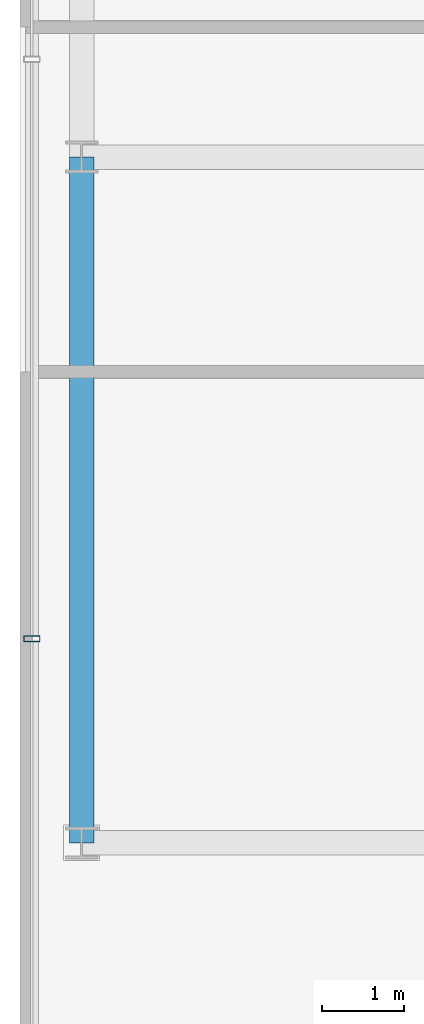
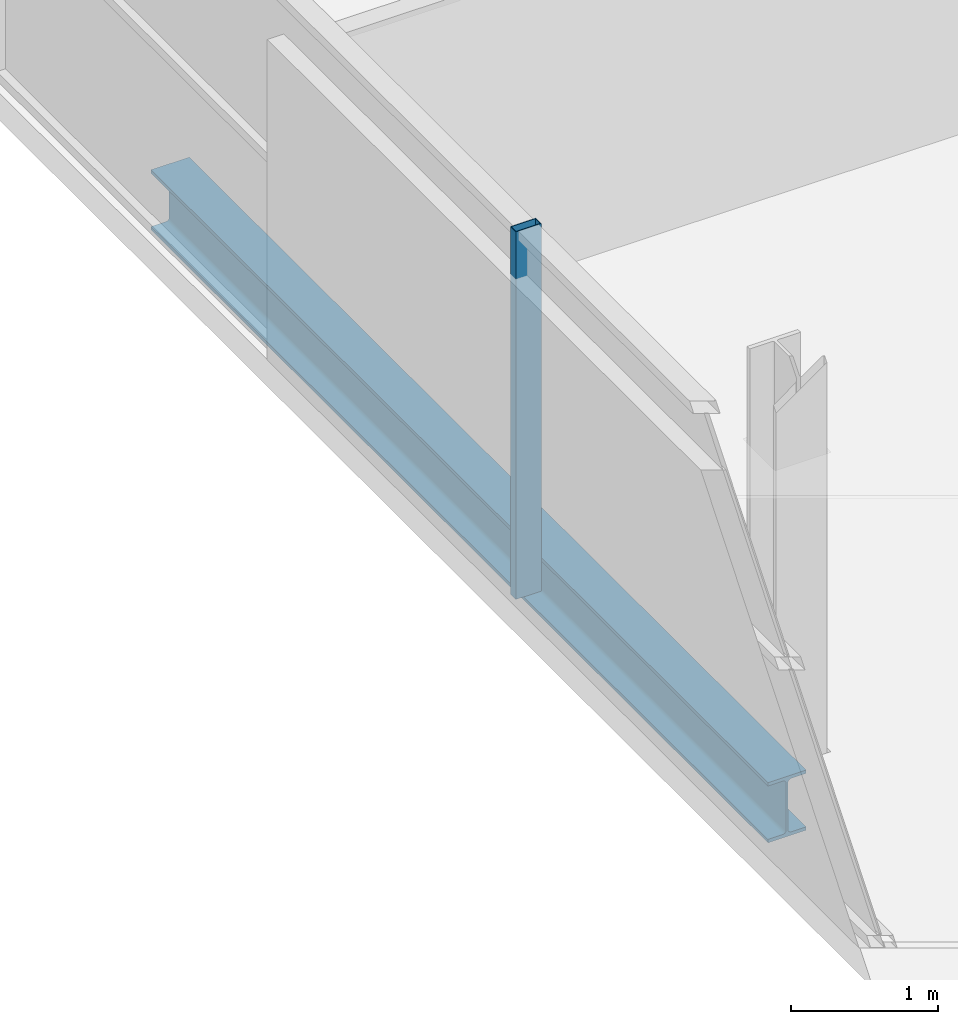
# One storey, part 4 of 25: 1 beam, 1 member, 1 element without a shape of its own.
"""IFC4 building model written with IfcOpenShell, lengths in metres."""

from ifc_helpers import new_model, si_unit, direction, frame, origin, origin_2d, place, context, subcontext, project, spatial, hollow_rectangle, i_section, extrude, source, transform, mapped, material, layer, layer_set, material_profile, profile_set, type_object, element, aggregate, save


model = new_model("IFC4")

# Units and contexts
model_context = context("Model", 3, precision=1e-05, world=origin(), true_north=direction((0.0, 1.0)))
body_context = subcontext(model_context, "Body", "Model", "MODEL_VIEW")
ifc_project = project(units=[si_unit("LENGTHUNIT", "METRE"), si_unit("AREAUNIT", "SQUARE_METRE"), si_unit("VOLUMEUNIT", "CUBIC_METRE"), si_unit("PLANEANGLEUNIT", "RADIAN"), si_unit("MASSUNIT", "GRAM", prefix="KILO")], contexts=[model_context])

# Site, building, storey
site_placement = place(None, origin())
site = spatial("IfcSite", under=ifc_project, at=site_placement, CompositionType="ELEMENT")
building_placement = place(site_placement, origin())
building = spatial("IfcBuilding", under=site, at=building_placement, Name="Zarnakvel Exchange Tower", CompositionType="ELEMENT")
storey_placement = place(building_placement, frame((0.0, 0.0, 156.10009765625)))
storey = spatial("IfcBuildingStorey", under=building, at=storey_placement, Name="L43", CompositionType="ELEMENT", Elevation=156.10009765625)

# Beam
ifc_material_1 = material(Name="Steel S355", Category="steel")
ifc_material_profile_1 = material_profile(ifc_material_1, i_section(OverallWidth=0.300048828125, OverallDepth=0.5, WebThickness=0.014404296875, FlangeThickness=0.028076171875, FilletRadius=0.027099609375, at=origin_2d()))
ifc_profile_set_1 = profile_set([ifc_material_profile_1], Name="Steel S355")
beam_type = type_object("IfcBeamType", Name="SP-02", PredefinedType="SPANDREL", material=ifc_profile_set_1)
beam_placement = place(storey_placement, frame((-25.85009765625, -9.60009765625, -0.47509765625), z_axis=(0.0, 1.0, 0.0), x_axis=(-1.0, 0.0, 0.0)))
element("IfcBeam", 1, at=beam_placement, inside=storey, type_object=beam_type, Name="L43 Tower N-S Frame Beam", PredefinedType="SPANDREL", context=body_context, shape_type="SweptSolid", body=[
    extrude(i_section(OverallWidth=0.300048828125, OverallDepth=0.5, WebThickness=0.014404296875, FlangeThickness=0.028076171875, FilletRadius=0.027099609375, at=origin_2d()), origin(), (0.0, 0.0, 1.0), 8.400146484375),
])

# Curtain wall, member
ifc_material_2 = material(Name="Architectural Bronze Anodised Aluminium", Category="aluminium")
ifc_layer = layer(ifc_material_2, 0.199951171875)
ifc_layer_set = layer_set([ifc_layer], Name="Architectural Bronze Anodised Aluminium")
curtain_wall_type = type_object("IfcCurtainWallType", Name="CW-04", PredefinedType="NOTDEFINED", material=ifc_layer_set)
curtain_wall_placement = place(storey_placement, origin())
curtain_wall = element("IfcCurtainWall", 2, at=curtain_wall_placement, inside=storey, type_object=curtain_wall_type, Name="L43 Curtain Wall CW-L43-W1 (CW-04)", PredefinedType="NOTDEFINED")
ifc_material_profile_2 = material_profile(ifc_material_2, hollow_rectangle(XDim=0.199951171875, YDim=0.074951171875, WallThickness=0.0048828125, at=origin_2d()))
ifc_profile_set_2 = profile_set([ifc_material_profile_2], Name="Architectural Bronze Anodised Aluminium")
member_type = type_object("IfcMemberType", Name="CWM-04", PredefinedType="MULLION", material=ifc_profile_set_2)
shared_shape = source(origin(), body_context, "Body", "SweptSolid", [
    extrude(hollow_rectangle(XDim=0.199951171875, YDim=0.074951171875, WallThickness=0.0048828125, at=origin_2d()), origin(), (0.0, 0.0, 1.0), 3.054931640625),
])
member_placement = place(storey_placement, frame((-26.4599609375, -7.10009765625, 0.0), z_axis=(0.0, 0.0, 1.0), x_axis=(-1.0, 0.0, 0.0)))
member = element("IfcMember", 3, at=member_placement, type_object=member_type, Name="CW-04 mullion 2", PredefinedType="MULLION", context=body_context, shape_type="MappedRepresentation", body=[
    mapped(shared_shape, transform((0.0, 0.0, 0.0), x_axis=(1.0, 0.0, 0.0), y_axis=(0.0, 1.0, 0.0), z_axis=(0.0, 0.0, 1.0), scale=1.0)),
])
aggregate(curtain_wall, [member])

save(model, "model.ifc")
